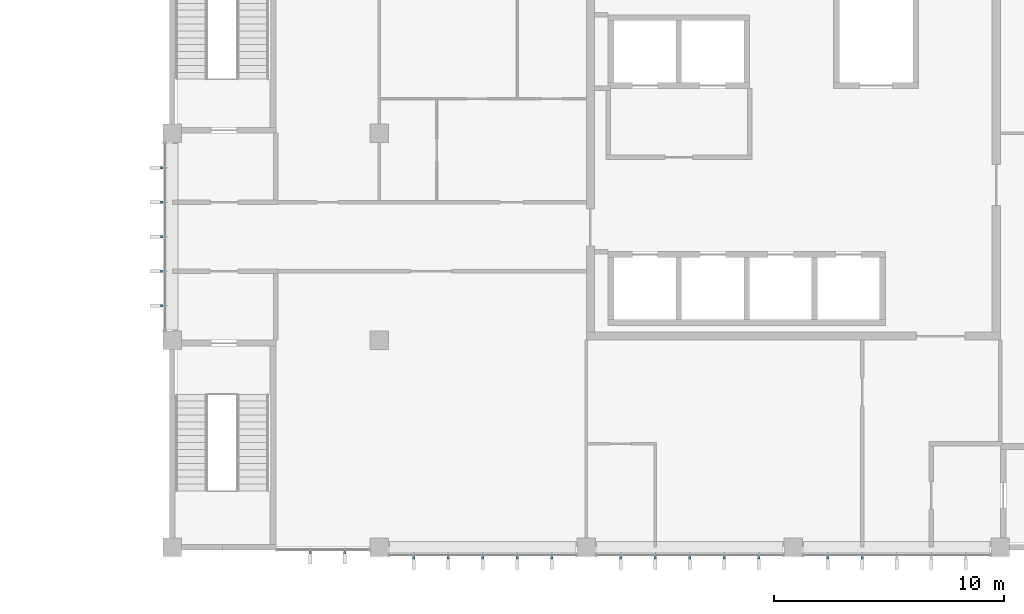
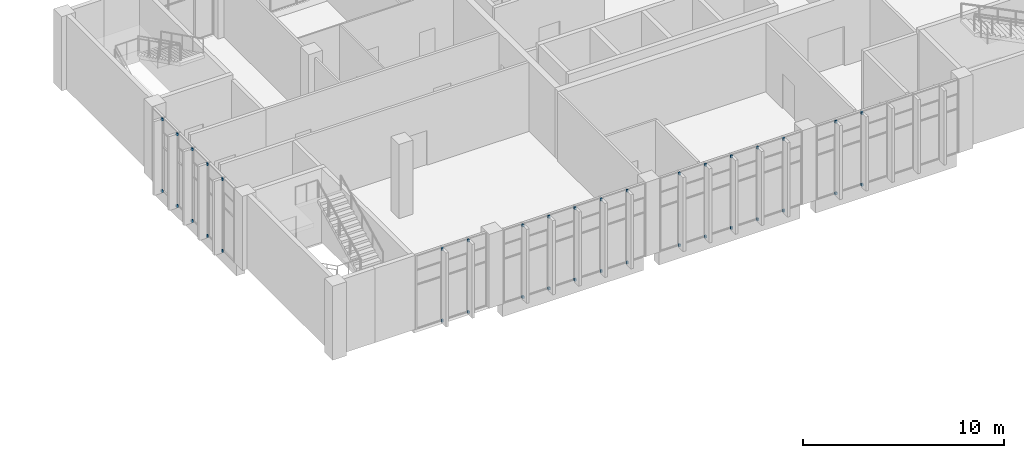
# One storey, part 32 of 40: 38 discrete accessories.
"""IFC4 building model written with IfcOpenShell, lengths in metres."""

import ifcopenshell
import ifcopenshell.guid

model = None  # the IFC model being written
_history = None  # IfcOwnerHistory: only IFC2X3 demands one
_inside = {}  # id of a spatial element -> (the spatial element, [elements in it])
_under = {}  # id of a project, library or spatial element -> (it, [spatial elements below it])
_declared = {}  # id of a project -> (the project, [libraries it declares])
_typed = {}  # id of a type object -> (the type object, [elements of that type])
_made_of = {}  # id of a material, layer set ... -> (it, [elements and type objects made of it])


def new_model(schema):
    """Start an empty IFC model of exactly this schema.

    Asked for "IFC4X3", IfcOpenShell would pick the latest addendum, in which some entities
    have other attributes; the version numbers below select the first issue.
    IFC2X3 requires an IfcOwnerHistory on every rooted entity: one is made here for all.
    """
    global model, _history
    if schema == "IFC4X3":
        model = ifcopenshell.file(schema_version=(4, 3, 0, 0))
    else:
        model = ifcopenshell.file(schema=schema)
    _inside.clear()
    _under.clear()
    _declared.clear()
    _typed.clear()
    _made_of.clear()
    _history = None
    if model.schema == "IFC2X3":
        org = make("IfcOrganization", Name="unknown")
        user = make(
            "IfcPersonAndOrganization",
            ThePerson=make("IfcPerson", FamilyName="unknown"),
            TheOrganization=org,
        )
        app = make(
            "IfcApplication",
            ApplicationDeveloper=org,
            Version="unknown",
            ApplicationFullName="unknown",
            ApplicationIdentifier="unknown",
        )
        _history = make(
            "IfcOwnerHistory",
            OwningUser=user,
            OwningApplication=app,
            ChangeAction="ADDED",
            CreationDate=0,
        )
    return model


def make(cls, **values):
    """One entity of the class cls with the attributes given. An attribute that is None is left unset."""
    return model.create_entity(
        cls, **{name: value for name, value in values.items() if value is not None}
    )


def rooted(cls, **values):
    """An entity with a GlobalId (a new one), such as an element, a storey or a relation."""
    return make(cls, GlobalId=ifcopenshell.guid.new(), OwnerHistory=_history, **values)


def si_unit(unit_type, name, prefix=None):
    """IfcSIUnit, for example si_unit("LENGTHUNIT", "METRE", prefix="MILLI")."""
    return make("IfcSIUnit", UnitType=unit_type, Prefix=prefix, Name=name)


def assignment(units):
    """IfcUnitAssignment: the units of a project."""
    return None if units is None else make("IfcUnitAssignment", Units=units)


def point(xyz):
    """IfcCartesianPoint."""
    return None if xyz is None else make("IfcCartesianPoint", Coordinates=xyz)


def direction(xyz):
    """IfcDirection."""
    return None if xyz is None else make("IfcDirection", DirectionRatios=xyz)


def frame(location, z_axis=None, x_axis=None):
    """IfcAxis2Placement3D, a coordinate frame: its origin and axes. An axis left out is left unset."""
    return make(
        "IfcAxis2Placement3D",
        Location=point(location),
        Axis=direction(z_axis),
        RefDirection=direction(x_axis),
    )


def frame_2d(location, x_axis=None):
    """IfcAxis2Placement2D, a coordinate frame in the plane: its origin and x axis."""
    return make(
        "IfcAxis2Placement2D", Location=point(location), RefDirection=direction(x_axis)
    )


def origin():
    """The frame at (0, 0, 0) with its axes left unset."""
    return frame((0.0, 0.0, 0.0))


def origin_2d():
    """The frame at (0, 0) in the plane with its x axis left unset."""
    return frame_2d((0.0, 0.0))


def place(relative_to, where):
    """IfcLocalPlacement: puts the frame where relative to a parent placement (None: the world)."""
    return make(
        "IfcLocalPlacement", PlacementRelTo=relative_to, RelativePlacement=where
    )


def context(
    kind, dimensions, precision=None, world=None, true_north=None, identifier=None
):
    """IfcGeometricRepresentationContext, for example the 3D "Model" context."""
    return make(
        "IfcGeometricRepresentationContext",
        ContextIdentifier=identifier,
        ContextType=kind,
        CoordinateSpaceDimension=dimensions,
        Precision=precision,
        WorldCoordinateSystem=world,
        TrueNorth=true_north,
    )


def subcontext(parent, identifier, kind, view, scale=None):
    """IfcGeometricRepresentationSubContext, for example "Body" below "Model"."""
    return make(
        "IfcGeometricRepresentationSubContext",
        ContextIdentifier=identifier,
        ContextType=kind,
        ParentContext=parent,
        TargetScale=scale,
        TargetView=view,
    )


def project(units=None, contexts=None):
    """IfcProject with its units and contexts."""
    return rooted(
        "IfcProject",
        Name="project",
        RepresentationContexts=contexts,
        UnitsInContext=assignment(units),
    )


def spatial(cls, under=None, at=None, **own):
    """A site, building, storey or space (cls), placed at a placement, below another one or the project."""
    s = rooted(cls, ObjectPlacement=at, **own)
    if under is not None:
        _under.setdefault(under.id(), (under, []))[1].append(s)
    return s


def profile(cls, at=None, kind="AREA", **sizes):
    """A parametric profile (cls). Its sizes go by their IFC names, for example OverallWidth=200.0."""
    return make(cls, ProfileType=kind, Position=at, **sizes)


def rectangle(**sizes):
    """IfcRectangleProfileDef."""
    return profile("IfcRectangleProfileDef", **sizes)


def extrude(swept, where, along, depth):
    """IfcExtrudedAreaSolid: the profile swept, set in the frame where, extruded along a direction by depth."""
    return make(
        "IfcExtrudedAreaSolid",
        SweptArea=swept,
        Position=where,
        ExtrudedDirection=direction(along),
        Depth=depth,
    )


def shape(context_of_items, identifier, shape_type, items):
    """IfcShapeRepresentation: the items that make up one representation, for example the "Body"."""
    return make(
        "IfcShapeRepresentation",
        ContextOfItems=context_of_items,
        RepresentationIdentifier=identifier,
        RepresentationType=shape_type,
        Items=items,
    )


def material(Name=None, Category=None):
    """IfcMaterial."""
    return make("IfcMaterial", Name=Name, Category=Category)


def made_of(thing, what):
    """Note that an element or type object is made of a material, layer set ...; save() writes the relation."""
    if what is not None:
        _made_of.setdefault(what.id(), (what, []))[1].append(thing)
    return thing


def type_object(cls, material=None, **own):
    """A type object (cls), such as IfcWallType, which elements share."""
    return made_of(rooted(cls, **own), material)


def element(
    cls,
    number,
    at=None,
    inside=None,
    cuts=None,
    type_object=None,
    material=None,
    context=None,
    identifier="Body",
    shape_type=None,
    held_by="IfcProductDefinitionShape",
    body=None,
    shapes=None,
    **own,
):
    """One element of the class cls, such as IfcWall. Its Tag is "e" and its number.

    at: its placement. inside: the storey or other place that contains it. cuts: it is an
    opening in that element (IfcRelVoidsElement). A single representation is given by context,
    identifier, shape_type and body (its items); several are given by shapes. held_by: the class
    of the entity that holds the representations. save() writes the other relations.
    """
    e = rooted(cls, Tag="e%d" % number, ObjectPlacement=at, **own)
    if body is not None:
        shapes = [shape(context, identifier, shape_type, body)]
    if shapes is not None:
        e.Representation = make(held_by, Representations=shapes)
    if inside is not None:
        _inside.setdefault(inside.id(), (inside, []))[1].append(e)
    if cuts is not None:
        rooted(
            "IfcRelVoidsElement", RelatingBuildingElement=cuts, RelatedOpeningElement=e
        )
    if type_object is not None:
        _typed.setdefault(type_object.id(), (type_object, []))[1].append(e)
    return made_of(e, material)


def aggregate(whole, parts):
    """IfcRelAggregates: a whole, such as a stair, and the parts it consists of."""
    return rooted("IfcRelAggregates", RelatingObject=whole, RelatedObjects=parts)


def save(model, path):
    """Write the relations noted so far, then the file.

    IfcRelAggregates (storeys below a building ...), IfcRelContainedInSpatialStructure (elements
    in a storey), IfcRelDefinesByType, IfcRelAssociatesMaterial and IfcRelDeclares: one each for
    every whole, place, type object, material and project.
    """
    for whole, parts in _under.values():
        aggregate(whole, parts)
    for where, things in _inside.values():
        rooted(
            "IfcRelContainedInSpatialStructure",
            RelatedElements=things,
            RelatingStructure=where,
        )
    for kind, things in _typed.values():
        rooted("IfcRelDefinesByType", RelatedObjects=things, RelatingType=kind)
    for what, things in _made_of.values():
        rooted("IfcRelAssociatesMaterial", RelatedObjects=things, RelatingMaterial=what)
    for by, libraries in _declared.values():
        rooted("IfcRelDeclares", RelatingContext=by, RelatedDefinitions=libraries)
    model.write(path)


model = new_model("IFC4")

# Units and contexts
model_context = context("Model", 3, precision=1e-05, world=origin(), true_north=direction((0.0, 1.0)))
body_context = subcontext(model_context, "Body", "Model", "MODEL_VIEW")
ifc_project = project(units=[si_unit("LENGTHUNIT", "METRE"), si_unit("AREAUNIT", "SQUARE_METRE"), si_unit("VOLUMEUNIT", "CUBIC_METRE"), si_unit("PLANEANGLEUNIT", "RADIAN"), si_unit("MASSUNIT", "GRAM", prefix="KILO")], contexts=[model_context])

# Site, building, storey
site_placement = place(None, origin())
site = spatial("IfcSite", under=ifc_project, at=site_placement, CompositionType="ELEMENT")
building_placement = place(site_placement, origin())
building = spatial("IfcBuilding", under=site, at=building_placement, Name="Guidao Yard Department Store", CompositionType="ELEMENT")
storey_placement = place(building_placement, frame((0.0, 0.0, 24.0)))
storey = spatial("IfcBuildingStorey", under=building, at=storey_placement, Name="L05", CompositionType="ELEMENT", Elevation=24.0)

# Discrete accessories
ifc_material = material(Name="Steel Q355B", Category="steel")
discrete_accessory_type = type_object("IfcDiscreteAccessoryType", Name="Fin bracket BR3 steel plate", PredefinedType="BRACKET", material=ifc_material)
for number, where, z_axis, x_axis, name in (
    (1, (132.0, -0.22998046875, 0.0), (0.0, 0.0, 1.0), (-1.0, 0.0, 0.0), "Fin bracket"),
    (2, (132.0, -0.22998046875, 4.35009765625), (0.0, 0.0, 1.0), (-1.0, 0.0, 0.0), "Fin bracket"),
    (3, (133.5, -0.22998046875, 0.0), (0.0, 0.0, 1.0), (-1.0, 0.0, 0.0), "Fin bracket"),
    (4, (133.5, -0.22998046875, 4.35009765625), (0.0, 0.0, 1.0), (-1.0, 0.0, 0.0), "Fin bracket"),
    (5, (136.5, -0.4599609375, 0.0), (0.0, 0.0, 1.0), (-1.0, 0.0, 0.0), "Fin bracket"),
    (6, (136.5, -0.4599609375, 4.35009765625), (0.0, 0.0, 1.0), (-1.0, 0.0, 0.0), "Fin bracket"),
    (7, (138.0, -0.4599609375, 0.0), (0.0, 0.0, 1.0), (-1.0, 0.0, 0.0), "Fin bracket"),
    (8, (138.0, -0.4599609375, 4.35009765625), (0.0, 0.0, 1.0), (-1.0, 0.0, 0.0), "Fin bracket"),
    (9, (139.5, -0.4599609375, 0.0), (0.0, 0.0, 1.0), (-1.0, 0.0, 0.0), "Fin bracket"),
    (10, (139.5, -0.4599609375, 4.35009765625), (0.0, 0.0, 1.0), (-1.0, 0.0, 0.0), "Fin bracket"),
    (11, (141.0, -0.4599609375, 0.0), (0.0, 0.0, 1.0), (-1.0, 0.0, 0.0), "Fin bracket"),
    (12, (141.0, -0.4599609375, 4.35009765625), (0.0, 0.0, 1.0), (-1.0, 0.0, 0.0), "Fin bracket"),
    (13, (142.5, -0.4599609375, 0.0), (0.0, 0.0, 1.0), (-1.0, 0.0, 0.0), "Fin bracket"),
    (14, (142.5, -0.4599609375, 4.35009765625), (0.0, 0.0, 1.0), (-1.0, 0.0, 0.0), "Fin bracket"),
    (15, (145.5, -0.4599609375, 0.0), (0.0, 0.0, 1.0), (-1.0, 0.0, 0.0), "Fin bracket"),
    (16, (145.5, -0.4599609375, 4.35009765625), (0.0, 0.0, 1.0), (-1.0, 0.0, 0.0), "Fin bracket"),
    (17, (147.0, -0.4599609375, 0.0), (0.0, 0.0, 1.0), (-1.0, 0.0, 0.0), "Fin bracket"),
    (18, (147.0, -0.4599609375, 4.35009765625), (0.0, 0.0, 1.0), (-1.0, 0.0, 0.0), "Fin bracket"),
    (19, (148.5, -0.4599609375, 0.0), (0.0, 0.0, 1.0), (-1.0, 0.0, 0.0), "Fin bracket"),
    (20, (148.5, -0.4599609375, 4.35009765625), (0.0, 0.0, 1.0), (-1.0, 0.0, 0.0), "Fin bracket"),
    (21, (150.0, -0.4599609375, 0.0), (0.0, 0.0, 1.0), (-1.0, 0.0, 0.0), "Fin bracket"),
    (22, (150.0, -0.4599609375, 4.35009765625), (0.0, 0.0, 1.0), (-1.0, 0.0, 0.0), "Fin bracket"),
    (23, (151.5, -0.4599609375, 0.0), (0.0, 0.0, 1.0), (-1.0, 0.0, 0.0), "Fin bracket"),
    (24, (151.5, -0.4599609375, 4.35009765625), (0.0, 0.0, 1.0), (-1.0, 0.0, 0.0), "Fin bracket"),
    (25, (154.5, -0.4599609375, 0.0), (0.0, 0.0, 1.0), (-1.0, 0.0, 0.0), "Fin bracket"),
    (26, (154.5, -0.4599609375, 4.35009765625), (0.0, 0.0, 1.0), (-1.0, 0.0, 0.0), "Fin bracket"),
    (27, (156.0, -0.4599609375, 0.0), (0.0, 0.0, 1.0), (-1.0, 0.0, 0.0), "Fin bracket"),
    (28, (156.0, -0.4599609375, 4.35009765625), (0.0, 0.0, 1.0), (-1.0, 0.0, 0.0), "Fin bracket"),
    (29, (125.5400390625, 10.5, 0.0), (0.0, 0.0, 1.0), (0.0, 1.0, 0.0), "Fin bracket"),
    (30, (125.5400390625, 10.5, 4.35009765625), (0.0, 0.0, 1.0), (0.0, 1.0, 0.0), "Fin bracket"),
    (31, (125.5400390625, 12.0, 0.0), (0.0, 0.0, 1.0), (0.0, 1.0, 0.0), "Fin bracket"),
    (32, (125.5400390625, 12.0, 4.35009765625), (0.0, 0.0, 1.0), (0.0, 1.0, 0.0), "Fin bracket"),
    (33, (125.5400390625, 13.5, 0.0), (0.0, 0.0, 1.0), (0.0, 1.0, 0.0), "Fin bracket"),
    (34, (125.5400390625, 13.5, 4.35009765625), (0.0, 0.0, 1.0), (0.0, 1.0, 0.0), "Fin bracket"),
    (35, (125.5400390625, 15.0, 0.0), (0.0, 0.0, 1.0), (0.0, 1.0, 0.0), "Fin bracket"),
    (36, (125.5400390625, 15.0, 4.35009765625), (0.0, 0.0, 1.0), (0.0, 1.0, 0.0), "Fin bracket"),
    (37, (125.5400390625, 16.5, 0.0), (0.0, 0.0, 1.0), (0.0, 1.0, 0.0), "Fin bracket"),
    (38, (125.5400390625, 16.5, 4.35009765625), (0.0, 0.0, 1.0), (0.0, 1.0, 0.0), "Fin bracket"),
):
    element("IfcDiscreteAccessory", number, at=place(storey_placement, frame(where, z_axis=z_axis, x_axis=x_axis)), inside=storey, type_object=discrete_accessory_type, Name=name, PredefinedType="BRACKET", context=body_context, shape_type="SweptSolid", body=[
        extrude(rectangle(XDim=0.10009765625, YDim=0.10009765625, at=origin_2d()), origin(), (0.0, 0.0, 1.0), 0.14990234375),
    ])

save(model, "model.ifc")
